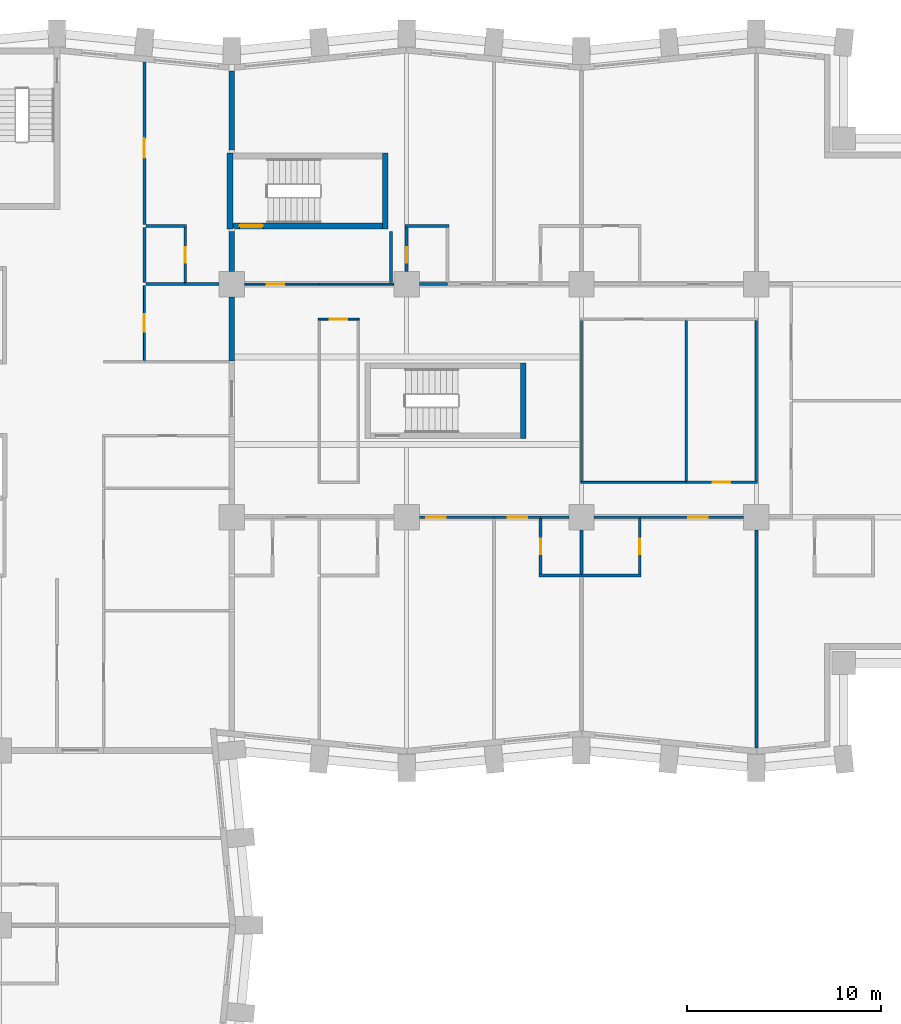
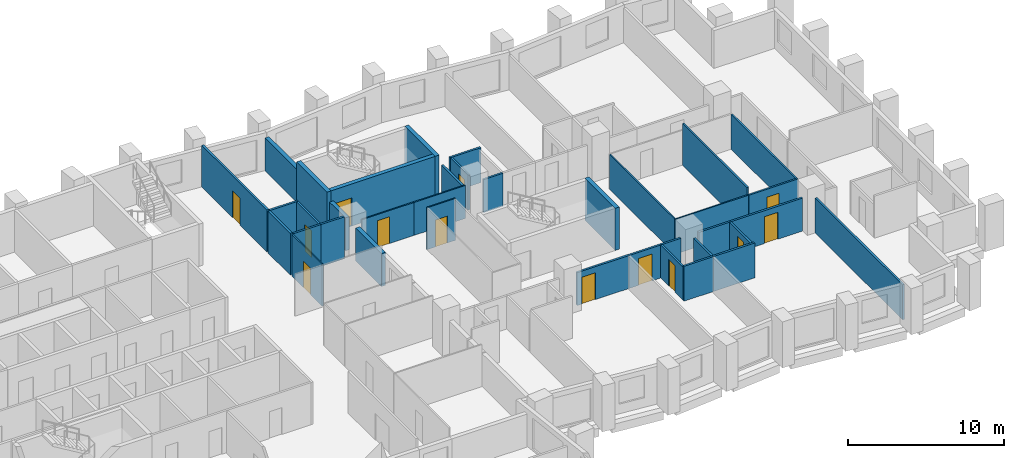
# One storey, part 8 of 13: 37 walls, 13 doors, 13 openings.
"""IFC4 building model written with IfcOpenShell, lengths in metres."""

from ifc_helpers import new_model, si_unit, direction, frame, frame_2d, origin, place, context, subcontext, project, spatial, rectangle, extrude, material, layer, layer_set, type_object, element, fill, save


model = new_model("IFC4")

# Units and contexts
model_context = context("Model", 3, precision=1e-05, world=origin(), true_north=direction((0.0, 1.0)))
body_context = subcontext(model_context, "Body", "Model", "MODEL_VIEW")
ifc_project = project(units=[si_unit("LENGTHUNIT", "METRE"), si_unit("AREAUNIT", "SQUARE_METRE"), si_unit("VOLUMEUNIT", "CUBIC_METRE"), si_unit("PLANEANGLEUNIT", "RADIAN"), si_unit("MASSUNIT", "GRAM", prefix="KILO")], contexts=[model_context])

# Site, building, storey
site_placement = place(None, origin())
site = spatial("IfcSite", under=ifc_project, at=site_placement, CompositionType="ELEMENT")
building_placement = place(site_placement, origin())
building = spatial("IfcBuilding", under=site, at=building_placement, Name="Brondeck Convention Tower", CompositionType="ELEMENT")
storey_placement = place(building_placement, frame((0.0, 0.0, 48.300048828125)))
storey = spatial("IfcBuildingStorey", under=building, at=storey_placement, Name="L09", CompositionType="ELEMENT", Elevation=48.300048828125)

# Walls
ifc_material_1 = material(Name="Concrete compartment wall C30/37", Category="concrete")
ifc_layer_1 = layer(ifc_material_1, 0.300048828125)
ifc_layer_set_1 = layer_set([ifc_layer_1], Name="Compartment wall 300")
wall_type_1 = type_object("IfcWallType", Name="Compartment wall 300", PredefinedType="PARTITIONING", material=ifc_layer_set_1)
wall_1_placement = place(storey_placement, frame((36.0, 50.344970703125, 0.0), z_axis=(0.0, 0.0, 1.0), x_axis=(0.0, -1.0, 0.0)))
element("IfcWall", 1, at=wall_1_placement, inside=storey, type_object=wall_type_1, Name="FLR-L09-W100", PredefinedType="PARTITIONING", context=body_context, shape_type="SweptSolid", body=[
    extrude(rectangle(XDim=3.294921875, YDim=0.300048828125, at=frame_2d((1.6474609375, 0.0))), origin(), (0.0, 0.0, 1.0), 2.579833984375),
])
wall_2_placement = place(storey_placement, frame((36.0, 53.699951171875, 0.0), z_axis=(0.0, 0.0, 1.0), x_axis=(0.0, -1.0, 0.0)))
element("IfcWall", 2, at=wall_2_placement, inside=storey, type_object=wall_type_1, Name="FLR-L09-W117", PredefinedType="PARTITIONING", context=body_context, shape_type="SweptSolid", body=[
    extrude(rectangle(XDim=2.044921875, YDim=0.300048828125, at=frame_2d((1.0224609375, 0.0))), origin(), (0.0, 0.0, 1.0), 2.579833984375),
])
wall_3_placement = place(storey_placement, frame((36.0, 61.97509765625, 0.0), z_axis=(0.0, 0.0, 1.0), x_axis=(0.0, -1.0, 0.0)))
element("IfcWall", 3, at=wall_3_placement, inside=storey, type_object=wall_type_1, Name="FLR-L09-W127", PredefinedType="PARTITIONING", context=body_context, shape_type="SweptSolid", body=[
    extrude(rectangle(XDim=4.0751953125, YDim=0.300048828125, at=frame_2d((2.03759765625, 0.0))), origin(), (0.0, 0.0, 1.0), 2.579833984375),
])
ifc_material_2 = material(Name="Double gypsum board acoustic wall")
ifc_layer_2 = layer(ifc_material_2, 0.14990234375)
ifc_layer_set_2 = layer_set([ifc_layer_2], Name="Guest room party wall 150")
wall_type_2 = type_object("IfcWallType", Name="Guest room party wall 150", PredefinedType="PARTITIONING", material=ifc_layer_set_2)
wall_4_placement = place(storey_placement, frame((51.824951171875, 36.0, 0.0), z_axis=(0.0, 0.0, 1.0), x_axis=(1.0, 0.0, 0.0)))
element("IfcWall", 4, at=wall_4_placement, inside=storey, type_object=wall_type_2, Name="FLR-L09-W053", PredefinedType="PARTITIONING", context=body_context, shape_type="SweptSolid", body=[
    extrude(rectangle(XDim=2.175048828125, YDim=0.14990234375, at=frame_2d((1.08740234375, 0.0))), origin(), (0.0, 0.0, 1.0), 2.72998046875),
])
wall_5_placement = place(storey_placement, frame((54.0, 36.0, 0.0), z_axis=(0.0, 0.0, 1.0), x_axis=(1.0, 0.0, 0.0)))
element("IfcWall", 5, at=wall_5_placement, inside=storey, type_object=wall_type_2, Name="FLR-L09-W054", PredefinedType="PARTITIONING", context=body_context, shape_type="SweptSolid", body=[
    extrude(rectangle(XDim=3.074951171875, YDim=0.14990234375, at=frame_2d((1.53759765625, 0.0))), origin(), (0.0, 0.0, 1.0), 2.72998046875),
])

# Wall, opening, door
wall_6_placement = place(storey_placement, frame((57.0, 36.074951171875, 0.0), z_axis=(0.0, 0.0, 1.0), x_axis=(0.0, 1.0, 0.0)))
wall_6 = element("IfcWall", 6, at=wall_6_placement, inside=storey, type_object=wall_type_2, Name="FLR-L09-W058", PredefinedType="PARTITIONING", context=body_context, shape_type="SweptSolid", body=[
    extrude(rectangle(XDim=2.85009765625, YDim=0.14990234375, at=frame_2d((1.425048828125, 0.0))), origin(), (0.0, 0.0, 1.0), 2.579833984375),
])
opening_1_placement = place(wall_6_placement, frame((1.02490234375, 0.0, 0.0)))
opening_1 = element("IfcOpeningElement", 7, at=opening_1_placement, cuts=wall_6, Name="Opening H2-015", PredefinedType="OPENING", context=body_context, shape_type="SweptSolid", body=[
    extrude(rectangle(XDim=0.800048828125, YDim=2.10009765625, at=frame_2d((0.39990234375, 1.050048828125))), frame((0.0, 0.0849609375, 0.0), z_axis=(0.0, -1.0, 0.0), x_axis=(1.0, 0.0, 0.0)), (0.0, 0.0, 1.0), 0.169921875),
])
ifc_material_3 = material(Name="Solid timber door leaf", Category="wood")
door_type_1 = type_object("IfcDoorType", Name="En-suite door 800", OperationType="NOTDEFINED", PredefinedType="DOOR", material=ifc_material_3)
door_1_placement = place(opening_1_placement, origin())
door_1 = element("IfcDoor", 8, at=door_1_placement, inside=storey, type_object=door_type_1, Name="Door H2-015", OperationType="SINGLE_SWING_RIGHT", OverallHeight=2.10009765625, OverallWidth=0.800048828125, PredefinedType="DOOR", context=body_context, shape_type="SweptSolid", body=[
    extrude(rectangle(XDim=0.800048828125, YDim=2.10009765625, at=frame_2d((0.39990234375, 1.050048828125))), frame((0.0, 0.02490234375, 0.0), z_axis=(0.0, -1.0, 0.0), x_axis=(1.0, 0.0, 0.0)), (0.0, 0.0, 1.0), 0.050048828125),
])
fill(opening_1, door_1)

# Walls
wall_7_placement = place(storey_placement, frame((54.0, 38.344970703125, 0.0), z_axis=(0.0, 0.0, 1.0), x_axis=(0.0, -1.0, 0.0)))
element("IfcWall", 9, at=wall_7_placement, inside=storey, type_object=wall_type_2, Name="FLR-L09-W061", PredefinedType="PARTITIONING", context=body_context, shape_type="SweptSolid", body=[
    extrude(rectangle(XDim=2.27001953125, YDim=0.14990234375, at=frame_2d((1.135009765625, 0.0))), origin(), (0.0, 0.0, 1.0), 2.72998046875),
])
wall_8_placement = place(storey_placement, frame((63.0, 38.344970703125, 0.0), z_axis=(0.0, 0.0, 1.0), x_axis=(0.0, -1.0, 0.0)))
element("IfcWall", 10, at=wall_8_placement, inside=storey, type_object=wall_type_2, Name="FLR-L09-W062", PredefinedType="PARTITIONING", context=body_context, shape_type="SweptSolid", body=[
    extrude(rectangle(XDim=11.219970703125, YDim=0.14990234375, at=frame_2d((5.60986328125, 0.0))), origin(), (0.0, 0.0, 1.0), 2.72998046875),
])

# Wall, opening, door
wall_9_placement = place(storey_placement, frame((51.89990234375, 38.925048828125, 0.0), z_axis=(0.0, 0.0, 1.0), x_axis=(0.0, -1.0, 0.0)))
wall_9 = element("IfcWall", 11, at=wall_9_placement, inside=storey, type_object=wall_type_2, Name="FLR-L09-W065", PredefinedType="PARTITIONING", context=body_context, shape_type="SweptSolid", body=[
    extrude(rectangle(XDim=2.85009765625, YDim=0.14990234375, at=frame_2d((1.425048828125, 0.0))), origin(), (0.0, 0.0, 1.0), 2.579833984375),
])
opening_2_placement = place(wall_9_placement, frame((1.02490234375, 0.0, 0.0)))
opening_2 = element("IfcOpeningElement", 12, at=opening_2_placement, cuts=wall_9, Name="Opening H2-013", PredefinedType="OPENING", context=body_context, shape_type="SweptSolid", body=[
    extrude(rectangle(XDim=0.800048828125, YDim=2.10009765625, at=frame_2d((0.39990234375, 1.050048828125))), frame((0.0, 0.0849609375, 0.0), z_axis=(0.0, -1.0, 0.0), x_axis=(1.0, 0.0, 0.0)), (0.0, 0.0, 1.0), 0.169921875),
])
door_2_placement = place(opening_2_placement, origin())
door_2 = element("IfcDoor", 13, at=door_2_placement, inside=storey, type_object=door_type_1, Name="Door H2-013", OperationType="SINGLE_SWING_LEFT", OverallHeight=2.10009765625, OverallWidth=0.800048828125, PredefinedType="DOOR", context=body_context, shape_type="SweptSolid", body=[
    extrude(rectangle(XDim=0.800048828125, YDim=2.10009765625, at=frame_2d((0.39990234375, 1.050048828125))), frame((0.0, 0.02490234375, 0.0), z_axis=(0.0, -1.0, 0.0), x_axis=(1.0, 0.0, 0.0)), (0.0, 0.0, 1.0), 0.050048828125),
])
fill(opening_2, door_2)

wall_10_placement = place(storey_placement, frame((49.5, 39.0, 0.0), z_axis=(0.0, 0.0, 1.0), x_axis=(-1.0, 0.0, 0.0)))
wall_10 = element("IfcWall", 14, at=wall_10_placement, inside=storey, type_object=wall_type_2, Name="FLR-L09-W071", PredefinedType="PARTITIONING", context=body_context, shape_type="SweptSolid", body=[
    extrude(rectangle(XDim=3.844970703125, YDim=0.14990234375, at=frame_2d((1.92236328125, 0.0))), origin(), (0.0, 0.0, 1.0), 2.579833984375),
])
opening_3_placement = place(wall_10_placement, frame((2.5, 0.0, 0.0)))
opening_3 = element("IfcOpeningElement", 15, at=opening_3_placement, cuts=wall_10, Name="Opening H2-010", PredefinedType="OPENING", context=body_context, shape_type="SweptSolid", body=[
    extrude(rectangle(XDim=1.0, YDim=2.10009765625, at=frame_2d((0.5, 1.050048828125))), frame((0.0, 0.0849609375, 0.0), z_axis=(0.0, -1.0, 0.0), x_axis=(1.0, 0.0, 0.0)), (0.0, 0.0, 1.0), 0.169921875),
])
ifc_material_4 = material(Name="Solid timber fire door leaf", Category="wood")
door_type_2 = type_object("IfcDoorType", Name="Guest room door 1000", OperationType="NOTDEFINED", PredefinedType="DOOR", material=ifc_material_4)
door_3_placement = place(opening_3_placement, origin())
door_3 = element("IfcDoor", 16, at=door_3_placement, inside=storey, type_object=door_type_2, Name="Door H2-010", OperationType="SINGLE_SWING_RIGHT", OverallHeight=2.10009765625, OverallWidth=1.0, PredefinedType="DOOR", context=body_context, shape_type="SweptSolid", body=[
    extrude(rectangle(XDim=1.0, YDim=2.10009765625, at=frame_2d((0.5, 1.050048828125))), frame((0.0, 0.02490234375, 0.0), z_axis=(0.0, -1.0, 0.0), x_axis=(1.0, 0.0, 0.0)), (0.0, 0.0, 1.0), 0.050048828125),
])
fill(opening_3, door_3)

wall_11_placement = place(storey_placement, frame((51.89990234375, 39.0, 0.0), z_axis=(0.0, 0.0, 1.0), x_axis=(-1.0, 0.0, 0.0)))
wall_11 = element("IfcWall", 17, at=wall_11_placement, inside=storey, type_object=wall_type_2, Name="FLR-L09-W072", PredefinedType="PARTITIONING", context=body_context, shape_type="SweptSolid", body=[
    extrude(rectangle(XDim=2.39990234375, YDim=0.14990234375, at=frame_2d((1.199951171875, 0.0))), origin(), (0.0, 0.0, 1.0), 2.579833984375),
])
opening_4_placement = place(wall_11_placement, frame((0.699951171875, 0.0, 0.0)))
opening_4 = element("IfcOpeningElement", 18, at=opening_4_placement, cuts=wall_11, Name="Opening H2-012", PredefinedType="OPENING", context=body_context, shape_type="SweptSolid", body=[
    extrude(rectangle(XDim=1.0, YDim=2.10009765625, at=frame_2d((0.5, 1.050048828125))), frame((0.0, 0.0849609375, 0.0), z_axis=(0.0, -1.0, 0.0), x_axis=(1.0, 0.0, 0.0)), (0.0, 0.0, 1.0), 0.169921875),
])
door_4_placement = place(opening_4_placement, origin())
door_4 = element("IfcDoor", 19, at=door_4_placement, inside=storey, type_object=door_type_2, Name="Door H2-012", OperationType="SINGLE_SWING_LEFT", OverallHeight=2.10009765625, OverallWidth=1.0, PredefinedType="DOOR", context=body_context, shape_type="SweptSolid", body=[
    extrude(rectangle(XDim=1.0, YDim=2.10009765625, at=frame_2d((0.5, 1.050048828125))), frame((0.0, 0.02490234375, 0.0), z_axis=(0.0, -1.0, 0.0), x_axis=(1.0, 0.0, 0.0)), (0.0, 0.0, 1.0), 0.050048828125),
])
fill(opening_4, door_4)

# Walls
wall_12_placement = place(storey_placement, frame((53.344970703125, 39.0, 0.0), z_axis=(0.0, 0.0, 1.0), x_axis=(-1.0, 0.0, 0.0)))
element("IfcWall", 20, at=wall_12_placement, inside=storey, type_object=wall_type_2, Name="FLR-L09-W073", PredefinedType="PARTITIONING", context=body_context, shape_type="SweptSolid", body=[
    extrude(rectangle(XDim=1.445068359375, YDim=0.14990234375, at=frame_2d((0.72265625, 0.0))), origin(), (0.0, 0.0, 1.0), 2.579833984375),
])
wall_13_placement = place(storey_placement, frame((57.0, 39.0, 0.0), z_axis=(0.0, 0.0, 1.0), x_axis=(-1.0, 0.0, 0.0)))
element("IfcWall", 21, at=wall_13_placement, inside=storey, type_object=wall_type_2, Name="FLR-L09-W074", PredefinedType="PARTITIONING", context=body_context, shape_type="SweptSolid", body=[
    extrude(rectangle(XDim=2.344970703125, YDim=0.14990234375, at=frame_2d((1.17236328125, 0.0))), origin(), (0.0, 0.0, 1.0), 2.579833984375),
])

# Wall, opening, door
wall_14_placement = place(storey_placement, frame((62.344970703125, 39.0, 0.0), z_axis=(0.0, 0.0, 1.0), x_axis=(-1.0, 0.0, 0.0)))
wall_14 = element("IfcWall", 22, at=wall_14_placement, inside=storey, type_object=wall_type_2, Name="FLR-L09-W075", PredefinedType="PARTITIONING", context=body_context, shape_type="SweptSolid", body=[
    extrude(rectangle(XDim=5.344970703125, YDim=0.14990234375, at=frame_2d((2.67236328125, 0.0))), origin(), (0.0, 0.0, 1.0), 2.579833984375),
])
opening_5_placement = place(wall_14_placement, frame((1.844970703125, 0.0, 0.0)))
opening_5 = element("IfcOpeningElement", 23, at=opening_5_placement, cuts=wall_14, Name="Opening H2-014", PredefinedType="OPENING", context=body_context, shape_type="SweptSolid", body=[
    extrude(rectangle(XDim=1.0, YDim=2.10009765625, at=frame_2d((0.5, 1.050048828125))), frame((0.0, 0.0849609375, 0.0), z_axis=(0.0, -1.0, 0.0), x_axis=(1.0, 0.0, 0.0)), (0.0, 0.0, 1.0), 0.169921875),
])
door_5_placement = place(opening_5_placement, origin())
door_5 = element("IfcDoor", 24, at=door_5_placement, inside=storey, type_object=door_type_2, Name="Door H2-014", OperationType="SINGLE_SWING_RIGHT", OverallHeight=2.10009765625, OverallWidth=1.0, PredefinedType="DOOR", context=body_context, shape_type="SweptSolid", body=[
    extrude(rectangle(XDim=1.0, YDim=2.10009765625, at=frame_2d((0.5, 1.050048828125))), frame((0.0, 0.02490234375, 0.0), z_axis=(0.0, -1.0, 0.0), x_axis=(1.0, 0.0, 0.0)), (0.0, 0.0, 1.0), 0.050048828125),
])
fill(opening_5, door_5)

# Walls
wall_15_placement = place(storey_placement, frame((31.574951171875, 51.0, 0.0), z_axis=(0.0, 0.0, 1.0), x_axis=(1.0, 0.0, 0.0)))
element("IfcWall", 25, at=wall_15_placement, inside=storey, type_object=wall_type_2, Name="FLR-L09-W103", PredefinedType="PARTITIONING", context=body_context, shape_type="SweptSolid", body=[
    extrude(rectangle(XDim=2.025146484375, YDim=0.14990234375, at=frame_2d((1.0126953125, 0.0))), origin(), (0.0, 0.0, 1.0), 3.280029296875),
])
wall_16_placement = place(storey_placement, frame((33.60009765625, 51.0, 0.0), z_axis=(0.0, 0.0, 1.0), x_axis=(1.0, 0.0, 0.0)))
element("IfcWall", 26, at=wall_16_placement, inside=storey, type_object=wall_type_2, Name="FLR-L09-W104", PredefinedType="PARTITIONING", context=body_context, shape_type="SweptSolid", body=[
    extrude(rectangle(XDim=1.744873046875, YDim=0.14990234375, at=frame_2d((0.87255859375, 0.0))), origin(), (0.0, 0.0, 1.0), 3.280029296875),
])
wall_17_placement = place(storey_placement, frame((45.655029296875, 51.0, 0.0), z_axis=(0.0, 0.0, 1.0), x_axis=(1.0, 0.0, 0.0)))
element("IfcWall", 27, at=wall_17_placement, inside=storey, type_object=wall_type_2, Name="FLR-L09-W107", PredefinedType="PARTITIONING", context=body_context, shape_type="SweptSolid", body=[
    extrude(rectangle(XDim=1.445068359375, YDim=0.14990234375, at=frame_2d((0.72265625, 0.0))), origin(), (0.0, 0.0, 1.0), 2.579833984375),
])

# Wall, opening, door
wall_18_placement = place(storey_placement, frame((33.60009765625, 51.074951171875, 0.0), z_axis=(0.0, 0.0, 1.0), x_axis=(0.0, 1.0, 0.0)))
wall_18 = element("IfcWall", 28, at=wall_18_placement, inside=storey, type_object=wall_type_2, Name="FLR-L09-W114", PredefinedType="PARTITIONING", context=body_context, shape_type="SweptSolid", body=[
    extrude(rectangle(XDim=2.85009765625, YDim=0.14990234375, at=frame_2d((1.425048828125, 0.0))), origin(), (0.0, 0.0, 1.0), 3.280029296875),
])
opening_6_placement = place(wall_18_placement, frame((1.02490234375, 0.0, 0.0)))
opening_6 = element("IfcOpeningElement", 29, at=opening_6_placement, cuts=wall_18, Name="Opening H2-034", PredefinedType="OPENING", context=body_context, shape_type="SweptSolid", body=[
    extrude(rectangle(XDim=0.800048828125, YDim=2.10009765625, at=frame_2d((0.39990234375, 1.050048828125))), frame((0.0, 0.0849609375, 0.0), z_axis=(0.0, -1.0, 0.0), x_axis=(1.0, 0.0, 0.0)), (0.0, 0.0, 1.0), 0.169921875),
])
door_6_placement = place(opening_6_placement, origin())
door_6 = element("IfcDoor", 30, at=door_6_placement, inside=storey, type_object=door_type_1, Name="Door H2-034", OperationType="SINGLE_SWING_LEFT", OverallHeight=2.10009765625, OverallWidth=0.800048828125, PredefinedType="DOOR", context=body_context, shape_type="SweptSolid", body=[
    extrude(rectangle(XDim=0.800048828125, YDim=2.10009765625, at=frame_2d((0.39990234375, 1.050048828125))), frame((0.0, 0.02490234375, 0.0), z_axis=(0.0, -1.0, 0.0), x_axis=(1.0, 0.0, 0.0)), (0.0, 0.0, 1.0), 0.050048828125),
])
fill(opening_6, door_6)

# Walls
wall_19_placement = place(storey_placement, frame((44.199951171875, 53.699951171875, 0.0), z_axis=(0.0, 0.0, 1.0), x_axis=(0.0, -1.0, 0.0)))
element("IfcWall", 31, at=wall_19_placement, inside=storey, type_object=wall_type_2, Name="FLR-L09-W118", PredefinedType="PARTITIONING", context=body_context, shape_type="SweptSolid", body=[
    extrude(rectangle(XDim=2.625, YDim=0.14990234375, at=frame_2d((1.3125, 0.0))), origin(), (0.0, 0.0, 1.0), 2.579833984375),
])
wall_20_placement = place(storey_placement, frame((31.5, 53.925048828125, 0.0), z_axis=(0.0, 0.0, 1.0), x_axis=(0.0, -1.0, 0.0)))
element("IfcWall", 32, at=wall_20_placement, inside=storey, type_object=wall_type_2, Name="FLR-L09-W119", PredefinedType="PARTITIONING", context=body_context, shape_type="SweptSolid", body=[
    extrude(rectangle(XDim=2.85009765625, YDim=0.14990234375, at=frame_2d((1.425048828125, 0.0))), origin(), (0.0, 0.0, 1.0), 3.280029296875),
])

# Wall, opening, door
wall_21_placement = place(storey_placement, frame((45.0, 53.925048828125, 0.0), z_axis=(0.0, 0.0, 1.0), x_axis=(0.0, -1.0, 0.0)))
wall_21 = element("IfcWall", 33, at=wall_21_placement, inside=storey, type_object=wall_type_2, Name="FLR-L09-W120", PredefinedType="PARTITIONING", context=body_context, shape_type="SweptSolid", body=[
    extrude(rectangle(XDim=2.27001953125, YDim=0.14990234375, at=frame_2d((1.135009765625, 0.0))), origin(), (0.0, 0.0, 1.0), 2.72998046875),
])
opening_7_placement = place(wall_21_placement, frame((1.02490234375, 0.0, 0.0)))
opening_7 = element("IfcOpeningElement", 34, at=opening_7_placement, cuts=wall_21, Name="Opening H2-003", PredefinedType="OPENING", context=body_context, shape_type="SweptSolid", body=[
    extrude(rectangle(XDim=0.800048828125, YDim=2.10009765625, at=frame_2d((0.39990234375, 1.050048828125))), frame((0.0, 0.0849609375, 0.0), z_axis=(0.0, -1.0, 0.0), x_axis=(1.0, 0.0, 0.0)), (0.0, 0.0, 1.0), 0.169921875),
])
door_7_placement = place(opening_7_placement, origin())
door_7 = element("IfcDoor", 35, at=door_7_placement, inside=storey, type_object=door_type_1, Name="Door H2-003", OperationType="SINGLE_SWING_RIGHT", OverallHeight=2.10009765625, OverallWidth=0.800048828125, PredefinedType="DOOR", context=body_context, shape_type="SweptSolid", body=[
    extrude(rectangle(XDim=0.800048828125, YDim=2.10009765625, at=frame_2d((0.39990234375, 1.050048828125))), frame((0.0, 0.02490234375, 0.0), z_axis=(0.0, -1.0, 0.0), x_axis=(1.0, 0.0, 0.0)), (0.0, 0.0, 1.0), 0.050048828125),
])
fill(opening_7, door_7)

# Walls
wall_22_placement = place(storey_placement, frame((33.675048828125, 54.0, 0.0), z_axis=(0.0, 0.0, 1.0), x_axis=(-1.0, 0.0, 0.0)))
element("IfcWall", 36, at=wall_22_placement, inside=storey, type_object=wall_type_2, Name="FLR-L09-W123", PredefinedType="PARTITIONING", context=body_context, shape_type="SweptSolid", body=[
    extrude(rectangle(XDim=2.10009765625, YDim=0.14990234375, at=frame_2d((1.050048828125, 0.0))), origin(), (0.0, 0.0, 1.0), 3.280029296875),
])
wall_23_placement = place(storey_placement, frame((47.175048828125, 54.0, 0.0), z_axis=(0.0, 0.0, 1.0), x_axis=(-1.0, 0.0, 0.0)))
element("IfcWall", 37, at=wall_23_placement, inside=storey, type_object=wall_type_2, Name="FLR-L09-W124", PredefinedType="PARTITIONING", context=body_context, shape_type="SweptSolid", body=[
    extrude(rectangle(XDim=2.25, YDim=0.14990234375, at=frame_2d((1.125, 0.0))), origin(), (0.0, 0.0, 1.0), 2.72998046875),
])

# Wall, opening, door
wall_24_placement = place(storey_placement, frame((31.5, 62.425048828125, 0.0), z_axis=(0.0, 0.0, 1.0), x_axis=(0.0, -1.0, 0.0)))
wall_24 = element("IfcWall", 38, at=wall_24_placement, inside=storey, type_object=wall_type_2, Name="FLR-L09-W129", PredefinedType="PARTITIONING", context=body_context, shape_type="SweptSolid", body=[
    extrude(rectangle(XDim=8.35009765625, YDim=0.14990234375, at=frame_2d((4.175048828125, 0.0))), origin(), (0.0, 0.0, 1.0), 3.280029296875),
])
opening_8_placement = place(wall_24_placement, frame((3.925048828125, 0.0, 0.0)))
opening_8 = element("IfcOpeningElement", 39, at=opening_8_placement, cuts=wall_24, Name="Opening H2-033", PredefinedType="OPENING", context=body_context, shape_type="SweptSolid", body=[
    extrude(rectangle(XDim=1.0, YDim=2.10009765625, at=frame_2d((0.5, 1.050048828125))), frame((0.0, 0.0849609375, 0.0), z_axis=(0.0, -1.0, 0.0), x_axis=(1.0, 0.0, 0.0)), (0.0, 0.0, 1.0), 0.169921875),
])
door_8_placement = place(opening_8_placement, origin())
door_8 = element("IfcDoor", 40, at=door_8_placement, inside=storey, type_object=door_type_2, Name="Door H2-033", OperationType="SINGLE_SWING_LEFT", OverallHeight=2.10009765625, OverallWidth=1.0, PredefinedType="DOOR", context=body_context, shape_type="SweptSolid", body=[
    extrude(rectangle(XDim=1.0, YDim=2.10009765625, at=frame_2d((0.5, 1.050048828125))), frame((0.0, 0.02490234375, 0.0), z_axis=(0.0, -1.0, 0.0), x_axis=(1.0, 0.0, 0.0)), (0.0, 0.0, 1.0), 0.050048828125),
])
fill(opening_8, door_8)

ifc_material_5 = material(Name="Gypsum board shaft wall on steel studs", Category="steel")
ifc_layer_3 = layer(ifc_material_5, 0.125)
ifc_layer_set_3 = layer_set([ifc_layer_3], Name="Riser wall 125")
wall_type_3 = type_object("IfcWallType", Name="Riser wall 125", PredefinedType="PARTITIONING", material=ifc_layer_set_3)
wall_25_placement = place(storey_placement, frame((59.39990234375, 40.800048828125, 0.0), z_axis=(0.0, 0.0, 1.0), x_axis=(1.0, 0.0, 0.0)))
wall_25 = element("IfcWall", 41, at=wall_25_placement, inside=storey, type_object=wall_type_3, Name="FLR-L09-W083", PredefinedType="PARTITIONING", context=body_context, shape_type="SweptSolid", body=[
    extrude(rectangle(XDim=3.66259765625, YDim=0.125, at=frame_2d((1.831298828125, 0.0))), origin(), (0.0, 0.0, 1.0), 2.72998046875),
])
opening_9_placement = place(wall_25_placement, frame((1.35009765625, 0.0, 0.0)))
opening_9 = element("IfcOpeningElement", 42, at=opening_9_placement, cuts=wall_25, Name="Opening H2-018", PredefinedType="OPENING", context=body_context, shape_type="SweptSolid", body=[
    extrude(rectangle(XDim=0.89990234375, YDim=2.10009765625, at=frame_2d((0.449951171875, 1.050048828125))), frame((0.0, 0.072509765625, 0.0), z_axis=(0.0, -1.0, 0.0), x_axis=(1.0, 0.0, 0.0)), (0.0, 0.0, 1.0), 0.14501953125),
])
door_type_3 = type_object("IfcDoorType", Name="Single door 900", OperationType="NOTDEFINED", PredefinedType="DOOR", material=ifc_material_3)
door_9_placement = place(opening_9_placement, origin())
door_9 = element("IfcDoor", 43, at=door_9_placement, inside=storey, type_object=door_type_3, Name="Door H2-018", OperationType="SINGLE_SWING_RIGHT", OverallHeight=2.10009765625, OverallWidth=0.89990234375, PredefinedType="DOOR", context=body_context, shape_type="SweptSolid", body=[
    extrude(rectangle(XDim=0.89990234375, YDim=2.10009765625, at=frame_2d((0.449951171875, 1.050048828125))), frame((0.0, 0.02490234375, 0.0), z_axis=(0.0, -1.0, 0.0), x_axis=(1.0, 0.0, 0.0)), (0.0, 0.0, 1.0), 0.050048828125),
])
fill(opening_9, door_9)

# Walls
wall_26_placement = place(storey_placement, frame((63.0, 40.862548828125, 0.0), z_axis=(0.0, 0.0, 1.0), x_axis=(0.0, 1.0, 0.0)))
element("IfcWall", 44, at=wall_26_placement, inside=storey, type_object=wall_type_3, Name="FLR-L09-W084", PredefinedType="PARTITIONING", context=body_context, shape_type="SweptSolid", body=[
    extrude(rectangle(XDim=8.27490234375, YDim=0.125, at=frame_2d((4.137451171875, 0.0))), origin(), (0.0, 0.0, 1.0), 2.72998046875),
])
wall_27_placement = place(storey_placement, frame((59.39990234375, 49.137451171875, 0.0), z_axis=(0.0, 0.0, 1.0), x_axis=(0.0, -1.0, 0.0)))
element("IfcWall", 45, at=wall_27_placement, inside=storey, type_object=wall_type_3, Name="FLR-L09-W093", PredefinedType="PARTITIONING", context=body_context, shape_type="SweptSolid", body=[
    extrude(rectangle(XDim=8.27490234375, YDim=0.125, at=frame_2d((4.137451171875, 0.0))), origin(), (0.0, 0.0, 1.0), 3.280029296875),
])
ifc_material_6 = material(Name="Gypsum board partition on steel studs", Category="steel")
ifc_layer_4 = layer(ifc_material_6, 0.10009765625)
ifc_layer_set_4 = layer_set([ifc_layer_4], Name="Room partition 100")
wall_type_4 = type_object("IfcWallType", Name="Room partition 100", PredefinedType="PARTITIONING", material=ifc_layer_set_4)
wall_28_placement = place(storey_placement, frame((53.949951171875, 40.800048828125, 0.0), z_axis=(0.0, 0.0, 1.0), x_axis=(1.0, 0.0, 0.0)))
element("IfcWall", 46, at=wall_28_placement, inside=storey, type_object=wall_type_4, Name="FLR-L09-W082", PredefinedType="PARTITIONING", context=body_context, shape_type="SweptSolid", body=[
    extrude(rectangle(XDim=5.449951171875, YDim=0.10009765625, at=frame_2d((2.72509765625, 0.0))), origin(), (0.0, 0.0, 1.0), 2.72998046875),
])
wall_29_placement = place(storey_placement, frame((54.0, 49.14990234375, 0.0), z_axis=(0.0, 0.0, 1.0), x_axis=(0.0, -1.0, 0.0)))
element("IfcWall", 47, at=wall_29_placement, inside=storey, type_object=wall_type_4, Name="FLR-L09-W096", PredefinedType="PARTITIONING", context=body_context, shape_type="SweptSolid", body=[
    extrude(rectangle(XDim=8.2998046875, YDim=0.10009765625, at=frame_2d((4.14990234375, 0.0))), origin(), (0.0, 0.0, 1.0), 2.72998046875),
])

# Wall, opening, door
wall_30_placement = place(storey_placement, frame((42.550048828125, 49.199951171875, 0.0), z_axis=(0.0, 0.0, 1.0), x_axis=(-1.0, 0.0, 0.0)))
wall_30 = element("IfcWall", 48, at=wall_30_placement, inside=storey, type_object=wall_type_4, Name="FLR-L09-W097", PredefinedType="PARTITIONING", context=body_context, shape_type="SweptSolid", body=[
    extrude(rectangle(XDim=2.10009765625, YDim=0.10009765625, at=frame_2d((1.050048828125, 0.0))), origin(), (0.0, 0.0, 1.0), 3.280029296875),
])
opening_10_placement = place(wall_30_placement, frame((0.60009765625, 0.0, 0.0)))
opening_10 = element("IfcOpeningElement", 49, at=opening_10_placement, cuts=wall_30, Name="Opening H2-016", PredefinedType="OPENING", context=body_context, shape_type="SweptSolid", body=[
    extrude(rectangle(XDim=0.89990234375, YDim=2.10009765625, at=frame_2d((0.449951171875, 1.050048828125))), frame((0.0, 0.06005859375, 0.0), z_axis=(0.0, -1.0, 0.0), x_axis=(1.0, 0.0, 0.0)), (0.0, 0.0, 1.0), 0.1201171875),
])
door_10_placement = place(opening_10_placement, origin())
door_10 = element("IfcDoor", 50, at=door_10_placement, inside=storey, type_object=door_type_3, Name="Door H2-016", OperationType="SINGLE_SWING_LEFT", OverallHeight=2.10009765625, OverallWidth=0.89990234375, PredefinedType="DOOR", context=body_context, shape_type="SweptSolid", body=[
    extrude(rectangle(XDim=0.89990234375, YDim=2.10009765625, at=frame_2d((0.449951171875, 1.050048828125))), frame((0.0, 0.02490234375, 0.0), z_axis=(0.0, -1.0, 0.0), x_axis=(1.0, 0.0, 0.0)), (0.0, 0.0, 1.0), 0.050048828125),
])
fill(opening_10, door_10)

wall_31_placement = place(storey_placement, frame((31.5, 50.925048828125, 0.0), z_axis=(0.0, 0.0, 1.0), x_axis=(0.0, -1.0, 0.0)))
wall_31 = element("IfcWall", 51, at=wall_31_placement, inside=storey, type_object=wall_type_4, Name="FLR-L09-W101", PredefinedType="PARTITIONING", context=body_context, shape_type="SweptSolid", body=[
    extrude(rectangle(XDim=3.875, YDim=0.10009765625, at=frame_2d((1.9375, 0.0))), origin(), (0.0, 0.0, 1.0), 3.280029296875),
])
opening_11_placement = place(wall_31_placement, frame((1.47509765625, 0.0, 0.0)))
opening_11 = element("IfcOpeningElement", 52, at=opening_11_placement, cuts=wall_31, Name="Opening H2-035", PredefinedType="OPENING", context=body_context, shape_type="SweptSolid", body=[
    extrude(rectangle(XDim=0.89990234375, YDim=2.10009765625, at=frame_2d((0.449951171875, 1.050048828125))), frame((0.0, 0.06005859375, 0.0), z_axis=(0.0, -1.0, 0.0), x_axis=(1.0, 0.0, 0.0)), (0.0, 0.0, 1.0), 0.1201171875),
])
door_11_placement = place(opening_11_placement, origin())
door_11 = element("IfcDoor", 53, at=door_11_placement, inside=storey, type_object=door_type_3, Name="Door H2-035", OperationType="SINGLE_SWING_LEFT", OverallHeight=2.10009765625, OverallWidth=0.89990234375, PredefinedType="DOOR", context=body_context, shape_type="SweptSolid", body=[
    extrude(rectangle(XDim=0.89990234375, YDim=2.10009765625, at=frame_2d((0.449951171875, 1.050048828125))), frame((0.0, 0.02490234375, 0.0), z_axis=(0.0, -1.0, 0.0), x_axis=(1.0, 0.0, 0.0)), (0.0, 0.0, 1.0), 0.050048828125),
])
fill(opening_11, door_11)

wall_32_placement = place(storey_placement, frame((40.5, 51.0, 0.0), z_axis=(0.0, 0.0, 1.0), x_axis=(-1.0, 0.0, 0.0)))
wall_32 = element("IfcWall", 54, at=wall_32_placement, inside=storey, type_object=wall_type_4, Name="FLR-L09-W105", PredefinedType="PARTITIONING", context=body_context, shape_type="SweptSolid", body=[
    extrude(rectangle(XDim=3.844970703125, YDim=0.10009765625, at=frame_2d((1.92236328125, 0.0))), origin(), (0.0, 0.0, 1.0), 2.579833984375),
])
opening_12_placement = place(wall_32_placement, frame((1.800048828125, 0.0, 0.0)))
opening_12 = element("IfcOpeningElement", 55, at=opening_12_placement, cuts=wall_32, Name="Opening H2-001", PredefinedType="OPENING", context=body_context, shape_type="SweptSolid", body=[
    extrude(rectangle(XDim=0.89990234375, YDim=2.10009765625, at=frame_2d((0.449951171875, 1.050048828125))), frame((0.0, 0.06005859375, 0.0), z_axis=(0.0, -1.0, 0.0), x_axis=(1.0, 0.0, 0.0)), (0.0, 0.0, 1.0), 0.1201171875),
])
door_12_placement = place(opening_12_placement, origin())
door_12 = element("IfcDoor", 56, at=door_12_placement, inside=storey, type_object=door_type_3, Name="Door H2-001", OperationType="SINGLE_SWING_LEFT", OverallHeight=2.10009765625, OverallWidth=0.89990234375, PredefinedType="DOOR", context=body_context, shape_type="SweptSolid", body=[
    extrude(rectangle(XDim=0.89990234375, YDim=2.10009765625, at=frame_2d((0.449951171875, 1.050048828125))), frame((0.0, 0.02490234375, 0.0), z_axis=(0.0, -1.0, 0.0), x_axis=(1.0, 0.0, 0.0)), (0.0, 0.0, 1.0), 0.050048828125),
])
fill(opening_12, door_12)

# Wall
wall_33_placement = place(storey_placement, frame((44.330078125, 51.0, 0.0), z_axis=(0.0, 0.0, 1.0), x_axis=(-1.0, 0.0, 0.0)))
element("IfcWall", 57, at=wall_33_placement, inside=storey, type_object=wall_type_4, Name="FLR-L09-W106", PredefinedType="PARTITIONING", context=body_context, shape_type="SweptSolid", body=[
    extrude(rectangle(XDim=3.830078125, YDim=0.10009765625, at=frame_2d((1.9150390625, 0.0))), origin(), (0.0, 0.0, 1.0), 2.579833984375),
])

# Wall, opening, door
ifc_material_7 = material(Name="Concrete C80/95", Category="concrete")
ifc_layer_5 = layer(ifc_material_7, 0.300048828125)
ifc_layer_set_5 = layer_set([ifc_layer_5], Name="Stair enclosure wall 300 Concrete C80/95")
wall_type_5 = type_object("IfcWallType", Name="Stair enclosure wall 300 Concrete C80/95", PredefinedType="SHEAR", material=ifc_layer_set_5)
wall_34_placement = place(storey_placement, frame((36.050048828125, 54.0, 0.0), z_axis=(0.0, 0.0, 1.0), x_axis=(1.0, 0.0, 0.0)))
wall_34 = element("IfcWall", 58, at=wall_34_placement, inside=storey, type_object=wall_type_5, Name="L09 core wall", PredefinedType="SHEAR", context=body_context, shape_type="SweptSolid", body=[
    extrude(rectangle(XDim=7.699951171875, YDim=0.300048828125, at=frame_2d((3.85009765625, 0.0))), origin(), (0.0, 0.0, 1.0), 3.300048828125),
])
opening_13_placement = place(wall_34_placement, frame((0.35009765625, 0.0, 0.0)))
opening_13 = element("IfcOpeningElement", 59, at=opening_13_placement, cuts=wall_34, Name="Opening C09-18", PredefinedType="OPENING", context=body_context, shape_type="SweptSolid", body=[
    extrude(rectangle(XDim=1.199951171875, YDim=2.199951171875, at=frame_2d((0.60009765625, 1.10009765625))), frame((0.0, 0.159912109375, 0.0), z_axis=(0.0, -1.0, 0.0), x_axis=(1.0, 0.0, 0.0)), (0.0, 0.0, 1.0), 0.320068359375),
])
ifc_material_8 = material(Name="Steel fire door", Category="steel")
door_type_4 = type_object("IfcDoorType", Name="Stair door 1200x2200 EI 90", OperationType="NOTDEFINED", PredefinedType="DOOR", material=ifc_material_8)
door_13_placement = place(opening_13_placement, origin())
door_13 = element("IfcDoor", 60, at=door_13_placement, inside=storey, type_object=door_type_4, Name="L09 Stair door ST-AE", OperationType="SINGLE_SWING_LEFT", OverallHeight=2.199951171875, OverallWidth=1.199951171875, PredefinedType="DOOR", context=body_context, shape_type="SweptSolid", body=[
    extrude(rectangle(XDim=1.199951171875, YDim=2.199951171875, at=frame_2d((0.60009765625, 1.10009765625))), frame((0.0, 0.02490234375, 0.0), z_axis=(0.0, -1.0, 0.0), x_axis=(1.0, 0.0, 0.0)), (0.0, 0.0, 1.0), 0.050048828125),
])
fill(opening_13, door_13)

# Walls
for number, where, z_axis, x_axis, name in (
    (61, (35.89990234375, 53.85009765625, 0.0), (0.0, 0.0, 1.0), (0.0, 1.0, 0.0), "L09 core wall"),
    (62, (43.89990234375, 53.85009765625, 0.0), (0.0, 0.0, 1.0), (0.0, 1.0, 0.0), "L09 core wall"),
    (63, (51.0, 43.050048828125, 0.0), (0.0, 0.0, 1.0), (0.0, 1.0, 0.0), "L09 core wall"),
):
    element("IfcWall", number, at=place(storey_placement, frame(where, z_axis=z_axis, x_axis=x_axis)), inside=storey, type_object=wall_type_5, Name=name, PredefinedType="SHEAR", context=body_context, shape_type="SweptSolid", body=[
        extrude(rectangle(XDim=3.89990234375, YDim=0.300048828125, at=frame_2d((1.949951171875, 0.0))), origin(), (0.0, 0.0, 1.0), 3.300048828125),
    ])

save(model, "model.ifc")
